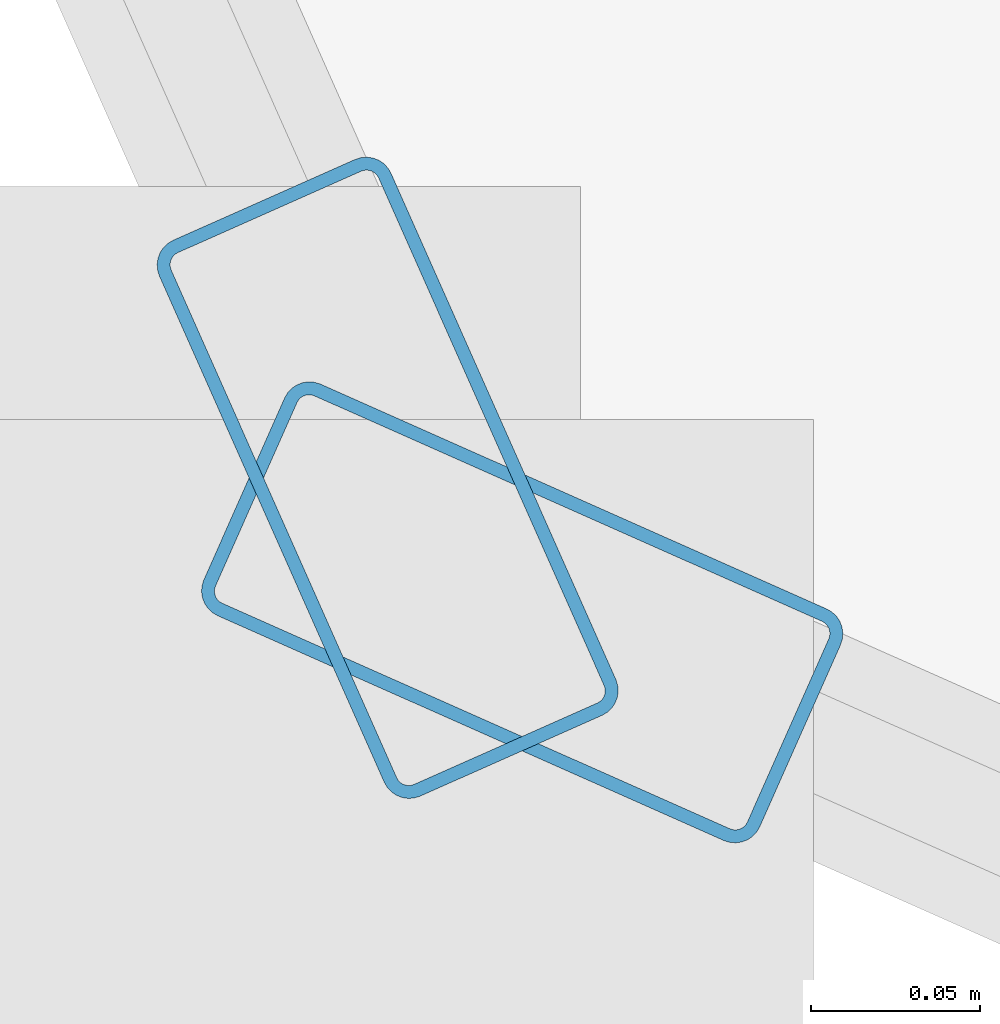
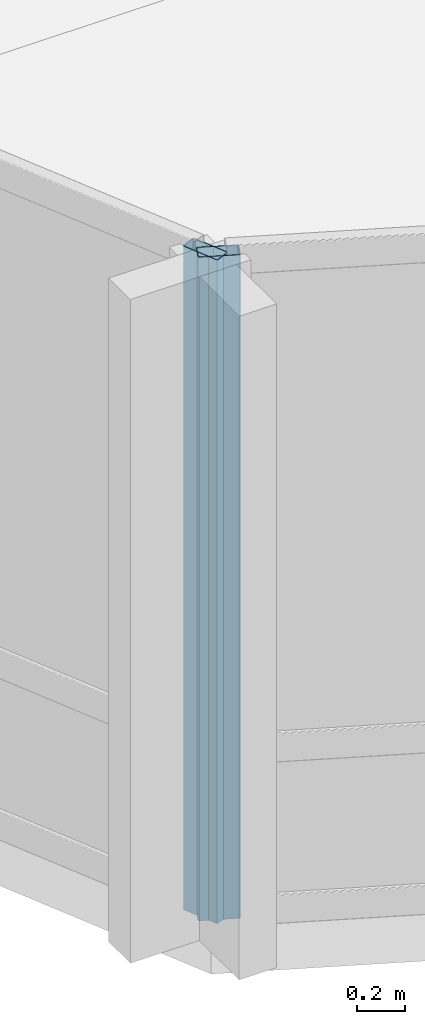
# One storey, part 2 of 35: 2 members, 2 elements without a shape of their own.
"""IFC4 building model written with IfcOpenShell, lengths in metres."""

import ifcopenshell
import ifcopenshell.guid

model = None  # the IFC model being written
_history = None  # IfcOwnerHistory: only IFC2X3 demands one
_inside = {}  # id of a spatial element -> (the spatial element, [elements in it])
_under = {}  # id of a project, library or spatial element -> (it, [spatial elements below it])
_declared = {}  # id of a project -> (the project, [libraries it declares])
_typed = {}  # id of a type object -> (the type object, [elements of that type])
_made_of = {}  # id of a material, layer set ... -> (it, [elements and type objects made of it])


def new_model(schema):
    """Start an empty IFC model of exactly this schema.

    Asked for "IFC4X3", IfcOpenShell would pick the latest addendum, in which some entities
    have other attributes; the version numbers below select the first issue.
    IFC2X3 requires an IfcOwnerHistory on every rooted entity: one is made here for all.
    """
    global model, _history
    if schema == "IFC4X3":
        model = ifcopenshell.file(schema_version=(4, 3, 0, 0))
    else:
        model = ifcopenshell.file(schema=schema)
    _inside.clear()
    _under.clear()
    _declared.clear()
    _typed.clear()
    _made_of.clear()
    _history = None
    if model.schema == "IFC2X3":
        org = make("IfcOrganization", Name="unknown")
        user = make(
            "IfcPersonAndOrganization",
            ThePerson=make("IfcPerson", FamilyName="unknown"),
            TheOrganization=org,
        )
        app = make(
            "IfcApplication",
            ApplicationDeveloper=org,
            Version="unknown",
            ApplicationFullName="unknown",
            ApplicationIdentifier="unknown",
        )
        _history = make(
            "IfcOwnerHistory",
            OwningUser=user,
            OwningApplication=app,
            ChangeAction="ADDED",
            CreationDate=0,
        )
    return model


def make(cls, **values):
    """One entity of the class cls with the attributes given. An attribute that is None is left unset."""
    return model.create_entity(
        cls, **{name: value for name, value in values.items() if value is not None}
    )


def rooted(cls, **values):
    """An entity with a GlobalId (a new one), such as an element, a storey or a relation."""
    return make(cls, GlobalId=ifcopenshell.guid.new(), OwnerHistory=_history, **values)


def si_unit(unit_type, name, prefix=None):
    """IfcSIUnit, for example si_unit("LENGTHUNIT", "METRE", prefix="MILLI")."""
    return make("IfcSIUnit", UnitType=unit_type, Prefix=prefix, Name=name)


def assignment(units):
    """IfcUnitAssignment: the units of a project."""
    return None if units is None else make("IfcUnitAssignment", Units=units)


def point(xyz):
    """IfcCartesianPoint."""
    return None if xyz is None else make("IfcCartesianPoint", Coordinates=xyz)


def direction(xyz):
    """IfcDirection."""
    return None if xyz is None else make("IfcDirection", DirectionRatios=xyz)


def frame(location, z_axis=None, x_axis=None):
    """IfcAxis2Placement3D, a coordinate frame: its origin and axes. An axis left out is left unset."""
    return make(
        "IfcAxis2Placement3D",
        Location=point(location),
        Axis=direction(z_axis),
        RefDirection=direction(x_axis),
    )


def frame_2d(location, x_axis=None):
    """IfcAxis2Placement2D, a coordinate frame in the plane: its origin and x axis."""
    return make(
        "IfcAxis2Placement2D", Location=point(location), RefDirection=direction(x_axis)
    )


def origin():
    """The frame at (0, 0, 0) with its axes left unset."""
    return frame((0.0, 0.0, 0.0))


def origin_2d():
    """The frame at (0, 0) in the plane with its x axis left unset."""
    return frame_2d((0.0, 0.0))


def place(relative_to, where):
    """IfcLocalPlacement: puts the frame where relative to a parent placement (None: the world)."""
    return make(
        "IfcLocalPlacement", PlacementRelTo=relative_to, RelativePlacement=where
    )


def context(
    kind, dimensions, precision=None, world=None, true_north=None, identifier=None
):
    """IfcGeometricRepresentationContext, for example the 3D "Model" context."""
    return make(
        "IfcGeometricRepresentationContext",
        ContextIdentifier=identifier,
        ContextType=kind,
        CoordinateSpaceDimension=dimensions,
        Precision=precision,
        WorldCoordinateSystem=world,
        TrueNorth=true_north,
    )


def subcontext(parent, identifier, kind, view, scale=None):
    """IfcGeometricRepresentationSubContext, for example "Body" below "Model"."""
    return make(
        "IfcGeometricRepresentationSubContext",
        ContextIdentifier=identifier,
        ContextType=kind,
        ParentContext=parent,
        TargetScale=scale,
        TargetView=view,
    )


def project(units=None, contexts=None):
    """IfcProject with its units and contexts."""
    return rooted(
        "IfcProject",
        Name="project",
        RepresentationContexts=contexts,
        UnitsInContext=assignment(units),
    )


def spatial(cls, under=None, at=None, **own):
    """A site, building, storey or space (cls), placed at a placement, below another one or the project."""
    s = rooted(cls, ObjectPlacement=at, **own)
    if under is not None:
        _under.setdefault(under.id(), (under, []))[1].append(s)
    return s


def profile(cls, at=None, kind="AREA", **sizes):
    """A parametric profile (cls). Its sizes go by their IFC names, for example OverallWidth=200.0."""
    return make(cls, ProfileType=kind, Position=at, **sizes)


def hollow_rectangle(**sizes):
    """IfcRectangleHollowProfileDef."""
    return profile("IfcRectangleHollowProfileDef", **sizes)


def extrude(swept, where, along, depth):
    """IfcExtrudedAreaSolid: the profile swept, set in the frame where, extruded along a direction by depth."""
    return make(
        "IfcExtrudedAreaSolid",
        SweptArea=swept,
        Position=where,
        ExtrudedDirection=direction(along),
        Depth=depth,
    )


def shape(context_of_items, identifier, shape_type, items):
    """IfcShapeRepresentation: the items that make up one representation, for example the "Body"."""
    return make(
        "IfcShapeRepresentation",
        ContextOfItems=context_of_items,
        RepresentationIdentifier=identifier,
        RepresentationType=shape_type,
        Items=items,
    )


def material(Name=None, Category=None):
    """IfcMaterial."""
    return make("IfcMaterial", Name=Name, Category=Category)


def layer(
    of_material, thickness, ventilated=None, Name=None, Category=None, Priority=None
):
    """IfcMaterialLayer: one layer of a wall or slab, of a material (None: an air gap)."""
    return make(
        "IfcMaterialLayer",
        Material=of_material,
        LayerThickness=thickness,
        IsVentilated=ventilated,
        Name=Name,
        Category=Category,
        Priority=Priority,
    )


def layer_set(layers, Name=None):
    """IfcMaterialLayerSet."""
    return make("IfcMaterialLayerSet", MaterialLayers=layers, LayerSetName=Name)


def material_profile(
    of_material, cross_section, Name=None, Category=None, Priority=None
):
    """IfcMaterialProfile: a cross section and its material."""
    return make(
        "IfcMaterialProfile",
        Name=Name,
        Material=of_material,
        Profile=cross_section,
        Priority=Priority,
        Category=Category,
    )


def profile_set(profiles, Name=None, composite=None):
    """IfcMaterialProfileSet."""
    return make(
        "IfcMaterialProfileSet",
        Name=Name,
        MaterialProfiles=profiles,
        CompositeProfile=composite,
    )


def made_of(thing, what):
    """Note that an element or type object is made of a material, layer set ...; save() writes the relation."""
    if what is not None:
        _made_of.setdefault(what.id(), (what, []))[1].append(thing)
    return thing


def type_object(cls, material=None, **own):
    """A type object (cls), such as IfcWallType, which elements share."""
    return made_of(rooted(cls, **own), material)


def element(
    cls,
    number,
    at=None,
    inside=None,
    cuts=None,
    type_object=None,
    material=None,
    context=None,
    identifier="Body",
    shape_type=None,
    held_by="IfcProductDefinitionShape",
    body=None,
    shapes=None,
    **own,
):
    """One element of the class cls, such as IfcWall. Its Tag is "e" and its number.

    at: its placement. inside: the storey or other place that contains it. cuts: it is an
    opening in that element (IfcRelVoidsElement). A single representation is given by context,
    identifier, shape_type and body (its items); several are given by shapes. held_by: the class
    of the entity that holds the representations. save() writes the other relations.
    """
    e = rooted(cls, Tag="e%d" % number, ObjectPlacement=at, **own)
    if body is not None:
        shapes = [shape(context, identifier, shape_type, body)]
    if shapes is not None:
        e.Representation = make(held_by, Representations=shapes)
    if inside is not None:
        _inside.setdefault(inside.id(), (inside, []))[1].append(e)
    if cuts is not None:
        rooted(
            "IfcRelVoidsElement", RelatingBuildingElement=cuts, RelatedOpeningElement=e
        )
    if type_object is not None:
        _typed.setdefault(type_object.id(), (type_object, []))[1].append(e)
    return made_of(e, material)


def aggregate(whole, parts):
    """IfcRelAggregates: a whole, such as a stair, and the parts it consists of."""
    return rooted("IfcRelAggregates", RelatingObject=whole, RelatedObjects=parts)


def save(model, path):
    """Write the relations noted so far, then the file.

    IfcRelAggregates (storeys below a building ...), IfcRelContainedInSpatialStructure (elements
    in a storey), IfcRelDefinesByType, IfcRelAssociatesMaterial and IfcRelDeclares: one each for
    every whole, place, type object, material and project.
    """
    for whole, parts in _under.values():
        aggregate(whole, parts)
    for where, things in _inside.values():
        rooted(
            "IfcRelContainedInSpatialStructure",
            RelatedElements=things,
            RelatingStructure=where,
        )
    for kind, things in _typed.values():
        rooted("IfcRelDefinesByType", RelatedObjects=things, RelatingType=kind)
    for what, things in _made_of.values():
        rooted("IfcRelAssociatesMaterial", RelatedObjects=things, RelatingMaterial=what)
    for by, libraries in _declared.values():
        rooted("IfcRelDeclares", RelatingContext=by, RelatedDefinitions=libraries)
    model.write(path)


model = new_model("IFC4")

# Units and contexts
model_context = context("Model", 3, precision=1e-05, world=origin(), true_north=direction((0.0, 1.0)))
body_context = subcontext(model_context, "Body", "Model", "MODEL_VIEW")
ifc_project = project(units=[si_unit("LENGTHUNIT", "METRE"), si_unit("AREAUNIT", "SQUARE_METRE"), si_unit("VOLUMEUNIT", "CUBIC_METRE"), si_unit("PLANEANGLEUNIT", "RADIAN"), si_unit("MASSUNIT", "GRAM", prefix="KILO")], contexts=[model_context])

# Site, building, storey
site_placement = place(None, origin())
site = spatial("IfcSite", under=ifc_project, at=site_placement, CompositionType="ELEMENT")
building_placement = place(site_placement, origin())
building = spatial("IfcBuilding", under=site, at=building_placement, Name="Solvaryn Broadcast Tower", CompositionType="ELEMENT")
storey_placement = place(building_placement, frame((0.0, 0.0, 80.39990234375)))
storey = spatial("IfcBuildingStorey", under=building, at=storey_placement, Name="L19", CompositionType="ELEMENT", Elevation=80.39990234375)

# Curtain wall, member
ifc_material_1 = material(Name="Aluminium and Terracotta Unitised Curtain Wall", Category="masonry")
ifc_layer_1 = layer(ifc_material_1, 0.239990234375)
ifc_layer_set_1 = layer_set([ifc_layer_1], Name="CW-SYS3-BAYBOX")
curtain_wall_type_1 = type_object("IfcCurtainWallType", Name="CW-SYS3-BAYBOX", PredefinedType="NOTDEFINED", material=ifc_layer_set_1)
curtain_wall_1_placement = place(storey_placement, origin())
curtain_wall_1 = element("IfcCurtainWall", 1, at=curtain_wall_1_placement, inside=storey, type_object=curtain_wall_type_1, Name="L19 Curtain Wall DR2", PredefinedType="NOTDEFINED")
ifc_material_2 = material(Name="Anodised Aluminium 6063-T6", Category="aluminium")
ifc_material_profile = material_profile(ifc_material_2, hollow_rectangle(XDim=0.074951171875, YDim=0.179931640625, WallThickness=0.00390625, InnerFilletRadius=0.00390625, OuterFilletRadius=0.008056640625, at=origin_2d()))
ifc_profile_set = profile_set([ifc_material_profile], Name="Anodised Aluminium 6063-T6")
member_type = type_object("IfcMemberType", Name="CW-MUL-180", PredefinedType="MULLION", material=ifc_profile_set)
member_1_placement = place(storey_placement, frame((7.834716796875, 7.87451171875, 0.0), z_axis=(0.0, 0.0, 1.0), x_axis=(0.913918257271, 0.405898286554, 0.0)))
member_1 = element("IfcMember", 2, at=member_1_placement, type_object=member_type, Name="CWS3 mullion 2", PredefinedType="MULLION", context=body_context, shape_type="SweptSolid", body=[
    extrude(hollow_rectangle(XDim=0.074951171875, YDim=0.179931640625, WallThickness=0.00390625, InnerFilletRadius=0.00390625, OuterFilletRadius=0.008056640625, at=origin_2d()), origin(), (0.0, 0.0, 1.0), 3.3701171875),
])
aggregate(curtain_wall_1, [member_1])

ifc_material_3 = material(Name="Aluminium and Terracotta Unitised Curtain Wall", Category="masonry")
ifc_layer_2 = layer(ifc_material_3, 0.199951171875)
ifc_layer_set_2 = layer_set([ifc_layer_2], Name="CW-SYS2-LOWMID")
curtain_wall_type_2 = type_object("IfcCurtainWallType", Name="CW-SYS2-LOWMID", PredefinedType="NOTDEFINED", material=ifc_layer_set_2)
curtain_wall_2_placement = place(storey_placement, origin())
curtain_wall_2 = element("IfcCurtainWall", 3, at=curtain_wall_2_placement, inside=storey, type_object=curtain_wall_type_2, Name="L19 Curtain Wall DR3", PredefinedType="NOTDEFINED")
member_2_placement = place(storey_placement, frame((7.87451171875, 7.834716796875, 0.0), z_axis=(0.0, 0.0, 1.0), x_axis=(0.405898286554, 0.913918257271, 0.0)))
member_2 = element("IfcMember", 4, at=member_2_placement, type_object=member_type, Name="CWS2 mullion 1", PredefinedType="MULLION", context=body_context, shape_type="SweptSolid", body=[
    extrude(hollow_rectangle(XDim=0.074951171875, YDim=0.179931640625, WallThickness=0.00390625, InnerFilletRadius=0.00390625, OuterFilletRadius=0.008056640625, at=origin_2d()), origin(), (0.0, 0.0, 1.0), 3.3701171875),
])
aggregate(curtain_wall_2, [member_2])

save(model, "model.ifc")
